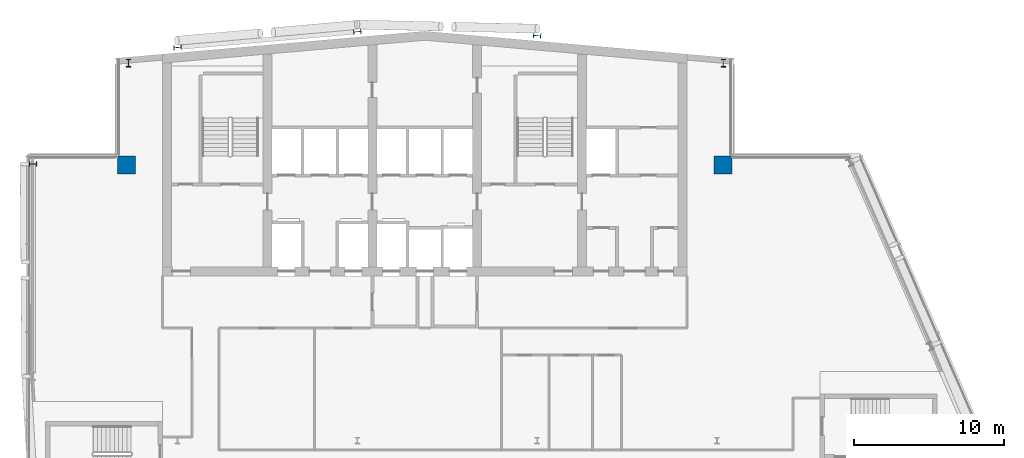
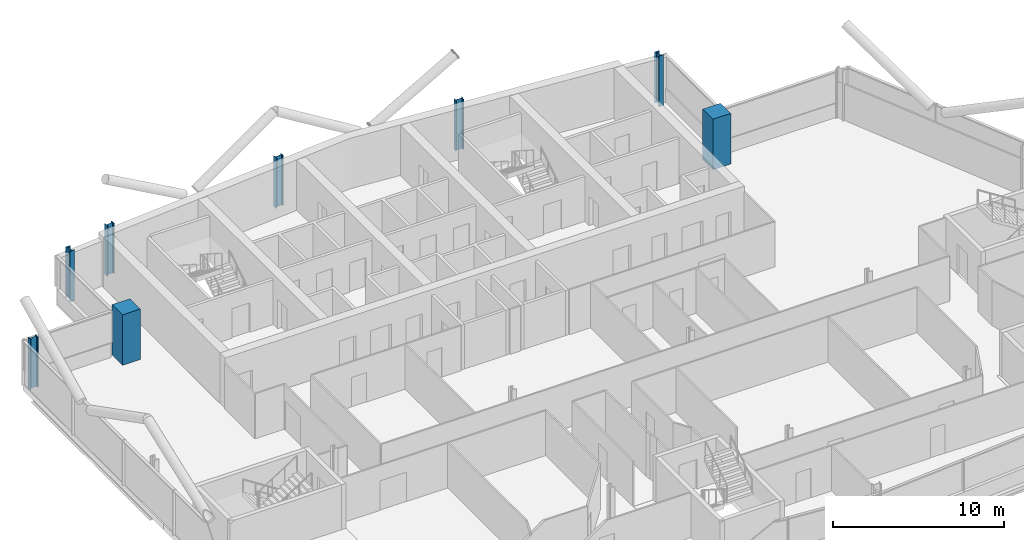
# One storey, part 3 of 27: 8 columns.
"""IFC4 building model written with IfcOpenShell, lengths in metres."""

from ifc_helpers import new_model, si_unit, direction, frame, origin, origin_2d, place, context, subcontext, project, spatial, rectangle, i_section, extrude, material, material_profile, profile_set, type_object, element, save


model = new_model("IFC4")

# Units and contexts
model_context = context("Model", 3, precision=1e-05, world=origin(), true_north=direction((0.0, 1.0)))
body_context = subcontext(model_context, "Body", "Model", "MODEL_VIEW")
ifc_project = project(units=[si_unit("LENGTHUNIT", "METRE"), si_unit("AREAUNIT", "SQUARE_METRE"), si_unit("VOLUMEUNIT", "CUBIC_METRE"), si_unit("PLANEANGLEUNIT", "RADIAN"), si_unit("MASSUNIT", "GRAM", prefix="KILO")], contexts=[model_context])

# Site, building, storey
site_placement = place(None, origin())
site = spatial("IfcSite", under=ifc_project, at=site_placement, CompositionType="ELEMENT")
building_placement = place(site_placement, origin())
building = spatial("IfcBuilding", under=site, at=building_placement, Name="Wharfspan Tower", CompositionType="ELEMENT")
storey_placement = place(building_placement, frame((0.0, 0.0, 243.100098)))
storey = spatial("IfcBuildingStorey", under=building, at=storey_placement, Name="L61", CompositionType="ELEMENT", Elevation=243.100098)

# Columns
ifc_material_1 = material(Name="Steel S355J2", Category="steel")
ifc_material_profile_1 = material_profile(ifc_material_1, i_section(OverallWidth=0.300049, OverallDepth=0.5, WebThickness=0.014404, FlangeThickness=0.028076, FilletRadius=0.0271, at=origin_2d()))
ifc_profile_set_1 = profile_set([ifc_material_profile_1], Name="Steel S355J2")
column_type_1 = type_object("IfcColumnType", Name="Column HEB 500", PredefinedType="COLUMN", material=ifc_profile_set_1)
for number, where, z_axis, x_axis, name in (
    (1, (24.0, 49.234863, 0.0), (0.0, 0.0, 1.0), (-0.087156, 0.996197, 0.0), "Rear column R.1 L61"),
    (2, (36.0, 50.284668, 0.0), (0.0, 0.0, 1.0), (-0.087156, 0.996197, 0.0), "Rear column R.2 L61"),
    (3, (48.0, 50.022217, 0.0), (0.0, 0.0, 1.0), (0.087156, 0.996197, 0.0), "Rear column R.3 L61"),
):
    element("IfcColumn", number, at=place(storey_placement, frame(where, z_axis=z_axis, x_axis=x_axis)), inside=storey, type_object=column_type_1, Name=name, PredefinedType="COLUMN", context=body_context, shape_type="SweptSolid", body=[
        extrude(i_section(OverallWidth=0.300049, OverallDepth=0.5, WebThickness=0.014404, FlangeThickness=0.028076, FilletRadius=0.0271, at=origin_2d()), origin(), (0.0, 0.0, 1.0), 3.599854),
    ])
ifc_material_profile_2 = material_profile(ifc_material_1, i_section(OverallWidth=0.305908, OverallDepth=0.523926, WebThickness=0.020996, FlangeThickness=0.040039, FilletRadius=0.0271, at=origin_2d()))
ifc_profile_set_2 = profile_set([ifc_material_profile_2], Name="Steel S355J2")
column_type_2 = type_object("IfcColumnType", Name="Column HEM 500", PredefinedType="COLUMN", material=ifc_profile_set_2)
for number, where, z_axis, x_axis, name in (
    (4, (60.422119, 48.189453, 0.0), (0.0, 0.0, 1.0), (1.0, 0.0, 0.0), "Perimeter column PNRE-V.1 L61"),
    (5, (20.731201, 48.189941, 0.0), (0.0, 0.0, 1.0), (-1.0, 0.0, 0.0), "Perimeter column PNRW-V.1 L61"),
    (6, (14.356934, 41.459717, 0.0), (0.0, 0.0, 1.0), (0.0, 1.0, 0.0), "Perimeter column PNRW-H.1 L61"),
):
    element("IfcColumn", number, at=place(storey_placement, frame(where, z_axis=z_axis, x_axis=x_axis)), inside=storey, type_object=column_type_2, Name=name, PredefinedType="COLUMN", context=body_context, shape_type="SweptSolid", body=[
        extrude(i_section(OverallWidth=0.305908, OverallDepth=0.523926, WebThickness=0.020996, FlangeThickness=0.040039, FilletRadius=0.0271, at=origin_2d()), origin(), (0.0, 0.0, 1.0), 3.599854),
    ])
ifc_material_2 = material(Name="Concrete C50/60", Category="concrete")
ifc_material_profile_3 = material_profile(ifc_material_2, rectangle(XDim=1.199951, YDim=1.199951, at=origin_2d()))
ifc_profile_set_3 = profile_set([ifc_material_profile_3], Name="Concrete C50/60")
column_type_3 = type_object("IfcColumnType", Name="Mega column 1200 C50/60", PredefinedType="COLUMN", material=ifc_profile_set_3)
for number, where, z_axis, x_axis, name in (
    (7, (20.600098, 41.399902, 0.0), (0.0, 0.0, 1.0), (1.0, 0.0, 0.0), "Mega column MC2 L61"),
    (8, (60.399902, 41.399902, 0.0), (0.0, 0.0, 1.0), (1.0, 0.0, 0.0), "Mega column MC3 L61"),
):
    element("IfcColumn", number, at=place(storey_placement, frame(where, z_axis=z_axis, x_axis=x_axis)), inside=storey, type_object=column_type_3, Name=name, PredefinedType="COLUMN", context=body_context, shape_type="SweptSolid", body=[
        extrude(rectangle(XDim=1.199951, YDim=1.199951, at=origin_2d()), origin(), (0.0, 0.0, 1.0), 3.599854),
    ])

save(model, "model.ifc")
